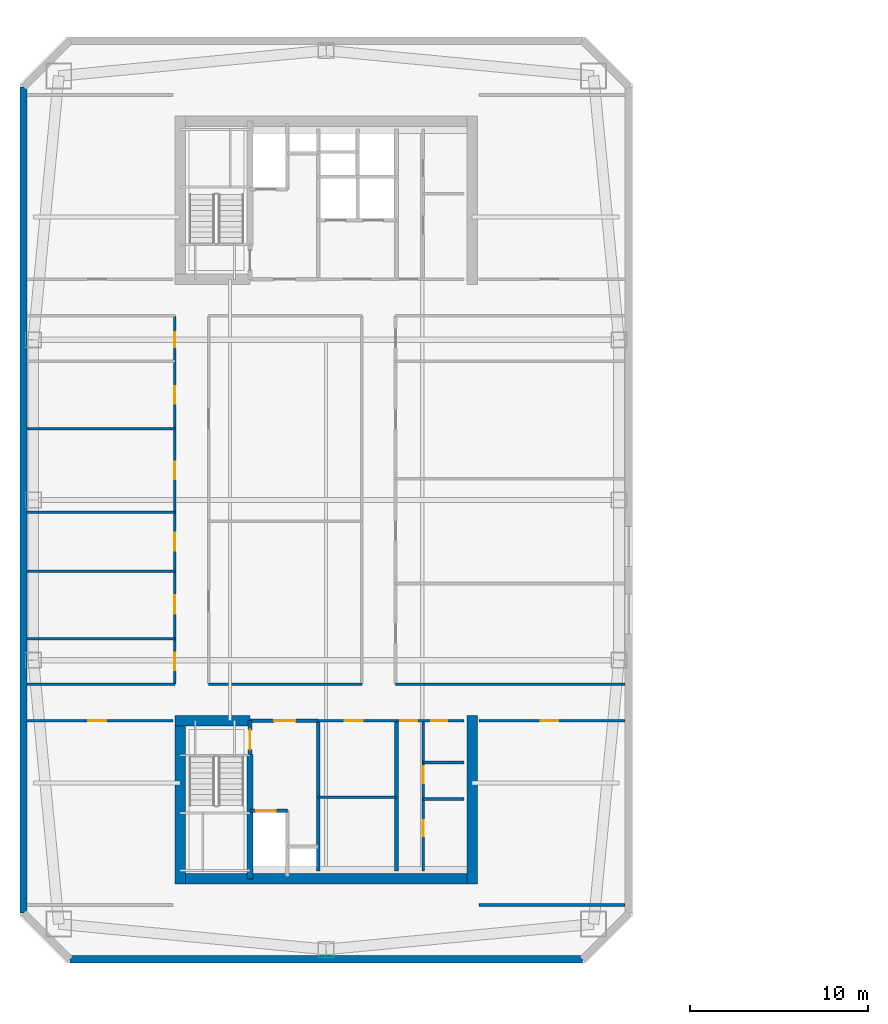
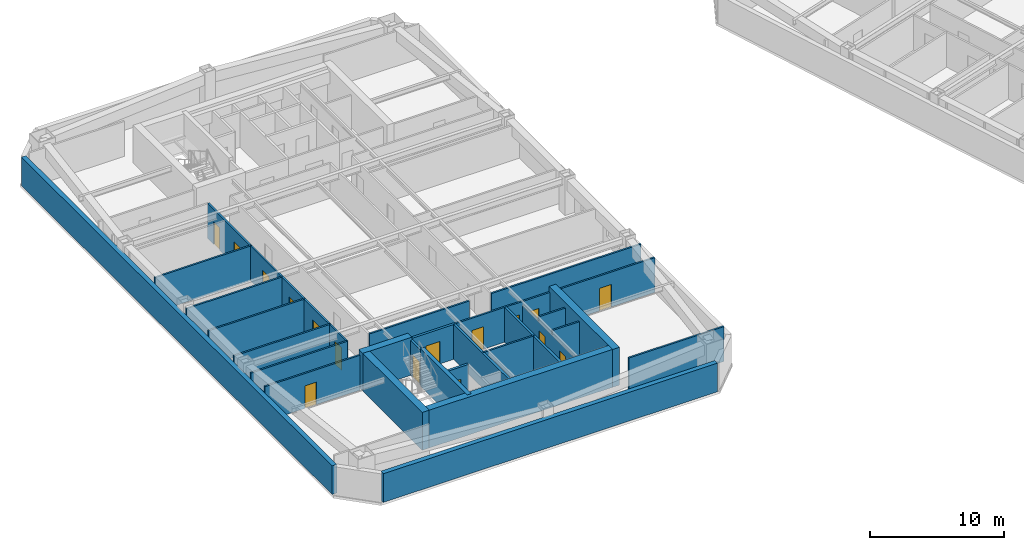
# One storey, part 5 of 13: 29 walls, 16 doors, 16 openings.
"""IFC4 building model written with IfcOpenShell, lengths in metres."""

from ifc_helpers import new_model, si_unit, direction, frame, frame_2d, origin, place, context, subcontext, project, spatial, rectangle, extrude, material, layer, layer_set, type_object, element, fill, save


model = new_model("IFC4")

# Units and contexts
model_context = context("Model", 3, precision=1e-05, world=origin(), true_north=direction((0.0, 1.0)))
body_context = subcontext(model_context, "Body", "Model", "MODEL_VIEW")
ifc_project = project(units=[si_unit("LENGTHUNIT", "METRE"), si_unit("AREAUNIT", "SQUARE_METRE"), si_unit("VOLUMEUNIT", "CUBIC_METRE"), si_unit("PLANEANGLEUNIT", "RADIAN"), si_unit("MASSUNIT", "GRAM", prefix="KILO")], contexts=[model_context])

# Site, building, storey
site_placement = place(None, origin())
site = spatial("IfcSite", under=ifc_project, at=site_placement, CompositionType="ELEMENT")
building_placement = place(site_placement, origin())
building = spatial("IfcBuilding", under=site, at=building_placement, Name="Qiaolan Cultural Towers", CompositionType="ELEMENT")
storey_placement = place(building_placement, frame((0.0, 0.0, 170.199951171875)))
storey = spatial("IfcBuildingStorey", under=building, at=storey_placement, Name="L45", CompositionType="ELEMENT", Elevation=170.199951171875)

# Walls
ifc_material_1 = material(Name="Concrete C50", Category="concrete")
ifc_layer_1 = layer(ifc_material_1, 0.35009765625)
ifc_layer_set_1 = layer_set([ifc_layer_1], Name="Concrete C50")
wall_type_1 = type_object("IfcWallType", Name="WL-CORE-350", PredefinedType="SHEAR", material=ifc_layer_set_1)
wall_1_placement = place(storey_placement, frame((25.719970703125, 19.699951171875, 0.0), z_axis=(0.0, 0.0, 1.0), x_axis=(0.0, -1.0, 0.0)))
element("IfcWall", 1, at=wall_1_placement, inside=storey, type_object=wall_type_1, Name="L45 T1-CS Stair Core Dividing Web", PredefinedType="SHEAR", context=body_context, shape_type="SweptSolid", body=[
    extrude(rectangle(XDim=6.97998046875, YDim=0.35009765625, at=frame_2d((3.489990234375, 0.0))), origin(), (0.0, 0.0, 1.0), 3.449951171875),
])
ifc_material_2 = material(Name="Concrete C55", Category="concrete")
ifc_layer_2 = layer(ifc_material_2, 0.60009765625)
ifc_layer_set_2 = layer_set([ifc_layer_2], Name="Concrete C55")
wall_type_2 = type_object("IfcWallType", Name="WL-CORE-600", PredefinedType="SHEAR", material=ifc_layer_set_2)
wall_2_placement = place(storey_placement, frame((21.5, 12.719970703125, 0.0), z_axis=(0.0, 0.0, 1.0), x_axis=(1.0, 0.0, 0.0)))
element("IfcWall", 2, at=wall_2_placement, inside=storey, type_object=wall_type_2, Name="L45 T1-CS Outer Core Shear Wall", PredefinedType="SHEAR", context=body_context, shape_type="SweptSolid", body=[
    extrude(rectangle(XDim=17.0, YDim=0.60009765625, at=frame_2d((8.5, 0.0))), origin(), (0.0, 0.0, 1.0), 3.449951171875),
])
for number, where, z_axis, x_axis, name in (
    (3, (21.800048828125, 21.89990234375, 0.0), (0.0, 0.0, 1.0), (0.0, -1.0, 0.0), "L45 T1-CS West Core Shear Wall"),
    (4, (38.199951171875, 21.89990234375, 0.0), (0.0, 0.0, 1.0), (0.0, -1.0, 0.0), "L45 T1-CS East Core Shear Wall"),
):
    element("IfcWall", number, at=place(storey_placement, frame(where, z_axis=z_axis, x_axis=x_axis)), inside=storey, type_object=wall_type_2, Name=name, PredefinedType="SHEAR", context=body_context, shape_type="SweptSolid", body=[
        extrude(rectangle(XDim=9.47998046875, YDim=0.60009765625, at=frame_2d((4.739990234375, 0.0))), origin(), (0.0, 0.0, 1.0), 3.449951171875),
    ])
wall_3_placement = place(storey_placement, frame((21.5, 21.60009765625, 0.0), z_axis=(0.0, 0.0, 1.0), x_axis=(1.0, 0.0, 0.0)))
element("IfcWall", 5, at=wall_3_placement, inside=storey, type_object=wall_type_2, Name="L45 T1-CS Stair Front Shear Wall", PredefinedType="SHEAR", context=body_context, shape_type="SweptSolid", body=[
    extrude(rectangle(XDim=4.219970703125, YDim=0.60009765625, at=frame_2d((2.10986328125, 0.0))), origin(), (0.0, 0.0, 1.0), 3.449951171875),
])
ifc_material_3 = material(Name="Precast Concrete C50 Honed Stone Pier", Category="masonry")
ifc_layer_3 = layer(ifc_material_3, 0.39990234375)
ifc_layer_set_3 = layer_set([ifc_layer_3], Name="Precast Concrete C50 Honed Stone Pier")
wall_type_3 = type_object("IfcWallType", Name="WL-EXT-PIER-400", PredefinedType="SOLIDWALL", material=ifc_layer_set_3)
wall_4_placement = place(storey_placement, frame((13.0, 10.800048828125, 0.0), z_axis=(0.0, 0.0, 1.0), x_axis=(0.0, 1.0, 0.0)))
element("IfcWall", 6, at=wall_4_placement, inside=storey, type_object=wall_type_3, Name="L45 West Tower Precast Pier Facade Wall F1", PredefinedType="SOLIDWALL", context=body_context, shape_type="SweptSolid", body=[
    extrude(rectangle(XDim=46.39990234375, YDim=0.39990234375, at=frame_2d((23.199951171875, 0.0))), origin(), (0.0, 0.0, 1.0), 2.610107421875),
])
wall_5_placement = place(storey_placement, frame((44.39990234375, 8.199951171875, 0.0), z_axis=(0.0, 0.0, 1.0), x_axis=(-1.0, 0.0, 0.0)))
element("IfcWall", 7, at=wall_5_placement, inside=storey, type_object=wall_type_3, Name="L45 West Tower Precast Pier Facade Wall F7", PredefinedType="SOLIDWALL", context=body_context, shape_type="SweptSolid", body=[
    extrude(rectangle(XDim=28.7998046875, YDim=0.39990234375, at=frame_2d((14.39990234375, 0.0))), origin(), (0.0, 0.0, 1.0), 2.610107421875),
])

# Wall, opening, door
ifc_material_4 = material(Name="Concrete C35 Fire Wall", Category="concrete")
ifc_layer_4 = layer(ifc_material_4, 0.199951171875)
ifc_layer_set_4 = layer_set([ifc_layer_4], Name="Concrete C35 Fire Wall")
wall_type_4 = type_object("IfcWallType", Name="WL-FIRE-200", PredefinedType="PARTITIONING", material=ifc_layer_set_4)
wall_6_placement = place(storey_placement, frame((25.719970703125, 21.60009765625, 0.0), z_axis=(0.0, 0.0, 1.0), x_axis=(0.0, -1.0, 0.0)))
wall_6 = element("IfcWall", 8, at=wall_6_placement, inside=storey, type_object=wall_type_4, Name="L45 T1-CS Smokeproof Stair Entry Wall", PredefinedType="PARTITIONING", context=body_context, shape_type="SweptSolid", body=[
    extrude(rectangle(XDim=1.900146484375, YDim=0.199951171875, at=frame_2d((0.9501953125, 0.0))), origin(), (0.0, 0.0, 1.0), 3.175048828125),
])
opening_1_placement = place(wall_6_placement, frame((0.52001953125, 0.0, 0.0)))
opening_1 = element("IfcOpeningElement", 9, at=opening_1_placement, cuts=wall_6, Name="Opening FD-04", PredefinedType="OPENING", context=body_context, shape_type="SweptSolid", body=[
    extrude(rectangle(XDim=1.10009765625, YDim=2.050048828125, at=frame_2d((0.550048828125, 1.02490234375))), frame((0.0, 0.10986328125, 0.0), z_axis=(0.0, -1.0, 0.0), x_axis=(1.0, 0.0, 0.0)), (0.0, 0.0, 1.0), 0.219970703125),
])
ifc_material_5 = material(Name="Galvanized Steel Command Fire Door", Category="steel")
door_type_1 = type_object("IfcDoorType", Name="DR-FD90-1100", OperationType="NOTDEFINED", PredefinedType="DOOR", material=ifc_material_5)
door_1_placement = place(opening_1_placement, origin())
door_1 = element("IfcDoor", 10, at=door_1_placement, inside=storey, type_object=door_type_1, Name="L45 ST-W1 Smokeproof Stair Fire Door", OperationType="SINGLE_SWING_LEFT", OverallHeight=2.050048828125, OverallWidth=1.10009765625, PredefinedType="DOOR", context=body_context, shape_type="SweptSolid", body=[
    extrude(rectangle(XDim=1.10009765625, YDim=2.050048828125, at=frame_2d((0.550048828125, 1.02490234375))), frame((0.0, 0.02490234375, 0.0), z_axis=(0.0, -1.0, 0.0), x_axis=(1.0, 0.0, 0.0)), (0.0, 0.0, 1.0), 0.050048828125),
])
fill(opening_1, door_1)

# Wall
wall_7_placement = place(storey_placement, frame((29.550048828125, 21.60009765625, 0.0), z_axis=(0.0, 0.0, 1.0), x_axis=(0.0, -1.0, 0.0)))
element("IfcWall", 11, at=wall_7_placement, inside=storey, type_object=wall_type_4, Name="L45 T1-CS Firefighting Zone Wall", PredefinedType="PARTITIONING", context=body_context, shape_type="SweptSolid", body=[
    extrude(rectangle(XDim=8.43017578125, YDim=0.199951171875, at=frame_2d((4.215087890625, 0.0))), origin(), (0.0, 0.0, 1.0), 3.175048828125),
])

# Wall, opening, door
wall_8_placement = place(storey_placement, frame((25.719970703125, 21.60009765625, 0.0), z_axis=(0.0, 0.0, 1.0), x_axis=(1.0, 0.0, 0.0)))
wall_8 = element("IfcWall", 12, at=wall_8_placement, inside=storey, type_object=wall_type_4, Name="L45 T1-CS Firefighting Lobby Front Wall", PredefinedType="PARTITIONING", context=body_context, shape_type="SweptSolid", body=[
    extrude(rectangle(XDim=3.830078125, YDim=0.199951171875, at=frame_2d((1.9150390625, 0.0))), origin(), (0.0, 0.0, 1.0), 3.175048828125),
])
opening_2_placement = place(wall_8_placement, frame((1.35009765625, 0.0, 0.0)))
opening_2 = element("IfcOpeningElement", 13, at=opening_2_placement, cuts=wall_8, Name="Opening FD-03", PredefinedType="OPENING", context=body_context, shape_type="SweptSolid", body=[
    extrude(rectangle(XDim=1.199951171875, YDim=2.050048828125, at=frame_2d((0.60009765625, 1.02490234375))), frame((0.0, 0.10986328125, 0.0), z_axis=(0.0, -1.0, 0.0), x_axis=(1.0, 0.0, 0.0)), (0.0, 0.0, 1.0), 0.219970703125),
])
ifc_material_6 = material(Name="Galvanized Steel Smokeproof Lobby Fire Door", Category="steel")
door_type_2 = type_object("IfcDoorType", Name="DR-FD90-1200", OperationType="NOTDEFINED", PredefinedType="DOOR", material=ifc_material_6)
door_2_placement = place(opening_2_placement, origin())
door_2 = element("IfcDoor", 14, at=door_2_placement, inside=storey, type_object=door_type_2, Name="L45 FFL-W1 Firefighting Lobby Fire Door", OperationType="SINGLE_SWING_LEFT", OverallHeight=2.050048828125, OverallWidth=1.199951171875, PredefinedType="DOOR", context=body_context, shape_type="SweptSolid", body=[
    extrude(rectangle(XDim=1.199951171875, YDim=2.050048828125, at=frame_2d((0.60009765625, 1.02490234375))), frame((0.0, 0.02490234375, 0.0), z_axis=(0.0, -1.0, 0.0), x_axis=(1.0, 0.0, 0.0)), (0.0, 0.0, 1.0), 0.050048828125),
])
fill(opening_2, door_2)

wall_9_placement = place(storey_placement, frame((25.719970703125, 16.550048828125, 0.0), z_axis=(0.0, 0.0, 1.0), x_axis=(1.0, 0.0, 0.0)))
wall_9 = element("IfcWall", 15, at=wall_9_placement, inside=storey, type_object=wall_type_4, Name="L45 T1-CS Firefighting Shaft Front Wall", PredefinedType="PARTITIONING", context=body_context, shape_type="SweptSolid", body=[
    extrude(rectangle(XDim=2.10009765625, YDim=0.199951171875, at=frame_2d((1.050048828125, 0.0))), origin(), (0.0, 0.0, 1.0), 3.175048828125),
])
opening_3_placement = place(wall_9_placement, frame((0.35009765625, 0.0, 0.0)))
opening_3 = element("IfcOpeningElement", 16, at=opening_3_placement, cuts=wall_9, Name="Opening LD-01", PredefinedType="OPENING", context=body_context, shape_type="SweptSolid", body=[
    extrude(rectangle(XDim=1.10009765625, YDim=2.050048828125, at=frame_2d((0.550048828125, 1.02490234375))), frame((0.0, 0.10986328125, 0.0), z_axis=(0.0, -1.0, 0.0), x_axis=(1.0, 0.0, 0.0)), (0.0, 0.0, 1.0), 0.219970703125),
])
ifc_material_7 = material(Name="Brushed Stainless Steel S30408 Centre-Parting Lift Landing Door", Category="steel")
door_type_3 = type_object("IfcDoorType", Name="DR-LIFT-1100", OperationType="NOTDEFINED", PredefinedType="DOOR", material=ifc_material_7)
door_3_placement = place(opening_3_placement, origin())
door_3 = element("IfcDoor", 17, at=door_3_placement, inside=storey, type_object=door_type_3, Name="L45 FFL-W1 Firefighting Lift Landing Door", OperationType="DOUBLE_DOOR_SLIDING", OverallHeight=2.050048828125, OverallWidth=1.10009765625, PredefinedType="DOOR", context=body_context, shape_type="SweptSolid", body=[
    extrude(rectangle(XDim=1.10009765625, YDim=2.050048828125, at=frame_2d((0.550048828125, 1.02490234375))), frame((0.0, 0.02490234375, 0.0), z_axis=(0.0, -1.0, 0.0), x_axis=(1.0, 0.0, 0.0)), (0.0, 0.0, 1.0), 0.050048828125),
])
fill(opening_3, door_3)

# Wall
wall_10_placement = place(storey_placement, frame((33.949951171875, 21.60009765625, 0.0), z_axis=(0.0, 0.0, 1.0), x_axis=(0.0, -1.0, 0.0)))
element("IfcWall", 18, at=wall_10_placement, inside=storey, type_object=wall_type_4, Name="L45 T1-CS Lift Core East Wall", PredefinedType="PARTITIONING", context=body_context, shape_type="SweptSolid", body=[
    extrude(rectangle(XDim=8.43017578125, YDim=0.199951171875, at=frame_2d((4.215087890625, 0.0))), origin(), (0.0, 0.0, 1.0), 3.175048828125),
])

# Wall, opening, door
ifc_material_8 = material(Name="Autoclaved Aerated Concrete Block B06", Category="concrete")
ifc_layer_5 = layer(ifc_material_8, 0.14990234375)
ifc_layer_set_5 = layer_set([ifc_layer_5], Name="Autoclaved Aerated Concrete Block B06")
wall_type_5 = type_object("IfcWallType", Name="WL-PART-150", PredefinedType="PARTITIONING", material=ifc_layer_set_5)
wall_11_placement = place(storey_placement, frame((29.550048828125, 21.60009765625, 0.0), z_axis=(0.0, 0.0, 1.0), x_axis=(1.0, 0.0, 0.0)))
wall_11 = element("IfcWall", 19, at=wall_11_placement, inside=storey, type_object=wall_type_5, Name="L45 T1-CS Reclaimed Core Room Front Wall", PredefinedType="PARTITIONING", context=body_context, shape_type="SweptSolid", body=[
    extrude(rectangle(XDim=4.39990234375, YDim=0.14990234375, at=frame_2d((2.199951171875, 0.0))), origin(), (0.0, 0.0, 1.0), 3.175048828125),
])
opening_4_placement = place(wall_11_placement, frame((1.5, 0.0, 0.0)))
opening_4 = element("IfcOpeningElement", 20, at=opening_4_placement, cuts=wall_11, Name="Opening ID-04", PredefinedType="OPENING", context=body_context, shape_type="SweptSolid", body=[
    extrude(rectangle(XDim=1.0, YDim=2.050048828125, at=frame_2d((0.5, 1.02490234375))), frame((0.0, 0.0849609375, 0.0), z_axis=(0.0, -1.0, 0.0), x_axis=(1.0, 0.0, 0.0)), (0.0, 0.0, 1.0), 0.169921875),
])
ifc_material_9 = material(Name="Oak Veneer Acoustic Office Door", Category="timber")
door_type_4 = type_object("IfcDoorType", Name="DR-INT-1000", OperationType="NOTDEFINED", PredefinedType="DOOR", material=ifc_material_9)
door_4_placement = place(opening_4_placement, origin())
door_4 = element("IfcDoor", 21, at=door_4_placement, inside=storey, type_object=door_type_4, Name="L45 Focus Pod Room Door", OperationType="SINGLE_SWING_LEFT", OverallHeight=2.050048828125, OverallWidth=1.0, PredefinedType="DOOR", context=body_context, shape_type="SweptSolid", body=[
    extrude(rectangle(XDim=1.0, YDim=2.050048828125, at=frame_2d((0.5, 1.02490234375))), frame((0.0, 0.02490234375, 0.0), z_axis=(0.0, -1.0, 0.0), x_axis=(1.0, 0.0, 0.0)), (0.0, 0.0, 1.0), 0.050048828125),
])
fill(opening_4, door_4)

# Wall
wall_12_placement = place(storey_placement, frame((29.550048828125, 17.300048828125, 0.0), z_axis=(0.0, 0.0, 1.0), x_axis=(1.0, 0.0, 0.0)))
element("IfcWall", 22, at=wall_12_placement, inside=storey, type_object=wall_type_5, Name="L45 T1-CS Reclaimed Room Subdivider", PredefinedType="PARTITIONING", context=body_context, shape_type="SweptSolid", body=[
    extrude(rectangle(XDim=4.39990234375, YDim=0.14990234375, at=frame_2d((2.199951171875, 0.0))), origin(), (0.0, 0.0, 1.0), 3.175048828125),
])

# Wall, openings, doors
wall_13_placement = place(storey_placement, frame((33.949951171875, 21.60009765625, 0.0), z_axis=(0.0, 0.0, 1.0), x_axis=(1.0, 0.0, 0.0)))
wall_13 = element("IfcWall", 23, at=wall_13_placement, inside=storey, type_object=wall_type_5, Name="L45 T1-CS Sanitary Core Front Wall", PredefinedType="PARTITIONING", context=body_context, shape_type="SweptSolid", body=[
    extrude(rectangle(XDim=3.800048828125, YDim=0.14990234375, at=frame_2d((1.89990234375, 0.0))), origin(), (0.0, 0.0, 1.0), 3.175048828125),
])
opening_5_placement = place(wall_13_placement, frame((0.219970703125, 0.0, 0.0)))
opening_5 = element("IfcOpeningElement", 24, at=opening_5_placement, cuts=wall_13, Name="Opening ID-05", PredefinedType="OPENING", context=body_context, shape_type="SweptSolid", body=[
    extrude(rectangle(XDim=0.949951171875, YDim=2.050048828125, at=frame_2d((0.47509765625, 1.02490234375))), frame((0.0, 0.0849609375, 0.0), z_axis=(0.0, -1.0, 0.0), x_axis=(1.0, 0.0, 0.0)), (0.0, 0.0, 1.0), 0.169921875),
])
opening_6_placement = place(wall_13_placement, frame((1.949951171875, 0.0, 0.0)))
opening_6 = element("IfcOpeningElement", 25, at=opening_6_placement, cuts=wall_13, Name="Opening ID-06", PredefinedType="OPENING", context=body_context, shape_type="SweptSolid", body=[
    extrude(rectangle(XDim=0.89990234375, YDim=2.050048828125, at=frame_2d((0.449951171875, 1.02490234375))), frame((0.0, 0.0849609375, 0.0), z_axis=(0.0, -1.0, 0.0), x_axis=(1.0, 0.0, 0.0)), (0.0, 0.0, 1.0), 0.169921875),
])
ifc_material_10 = material(Name="Fire-Rated Laminate Core Service Door", Category="timber")
door_type_5 = type_object("IfcDoorType", Name="DR-INT-900", OperationType="NOTDEFINED", PredefinedType="DOOR", material=ifc_material_10)
door_5_placement = place(opening_6_placement, origin())
door_5 = element("IfcDoor", 26, at=door_5_placement, inside=storey, type_object=door_type_5, Name="L45 Core Tea Pantry Door", OperationType="SINGLE_SWING_RIGHT", OverallHeight=2.050048828125, OverallWidth=0.89990234375, PredefinedType="DOOR", context=body_context, shape_type="SweptSolid", body=[
    extrude(rectangle(XDim=0.89990234375, YDim=2.050048828125, at=frame_2d((0.449951171875, 1.02490234375))), frame((0.0, 0.02490234375, 0.0), z_axis=(0.0, -1.0, 0.0), x_axis=(1.0, 0.0, 0.0)), (0.0, 0.0, 1.0), 0.050048828125),
])
fill(opening_6, door_5)
ifc_material_11 = material(Name="Fire-Rated Laminate Accessible Core Door", Category="timber")
door_type_6 = type_object("IfcDoorType", Name="DR-INT-950", OperationType="NOTDEFINED", PredefinedType="DOOR", material=ifc_material_11)
door_6_placement = place(opening_5_placement, origin())
door_6 = element("IfcDoor", 27, at=door_6_placement, inside=storey, type_object=door_type_6, Name="L45 Sanitary Passage Door", OperationType="SINGLE_SWING_LEFT", OverallHeight=2.050048828125, OverallWidth=0.949951171875, PredefinedType="DOOR", context=body_context, shape_type="SweptSolid", body=[
    extrude(rectangle(XDim=0.949951171875, YDim=2.050048828125, at=frame_2d((0.47509765625, 1.02490234375))), frame((0.0, 0.02490234375, 0.0), z_axis=(0.0, -1.0, 0.0), x_axis=(1.0, 0.0, 0.0)), (0.0, 0.0, 1.0), 0.050048828125),
])
fill(opening_5, door_6)

wall_14_placement = place(storey_placement, frame((35.449951171875, 21.60009765625, 0.0), z_axis=(0.0, 0.0, 1.0), x_axis=(0.0, -1.0, 0.0)))
wall_14 = element("IfcWall", 28, at=wall_14_placement, inside=storey, type_object=wall_type_5, Name="L45 T1-CS Sanitary Corridor Wall", PredefinedType="PARTITIONING", context=body_context, shape_type="SweptSolid", body=[
    extrude(rectangle(XDim=8.43017578125, YDim=0.14990234375, at=frame_2d((4.215087890625, 0.0))), origin(), (0.0, 0.0, 1.0), 2.81494140625),
])
opening_7_placement = place(wall_14_placement, frame((2.550048828125, 0.0, 0.0)))
opening_7 = element("IfcOpeningElement", 29, at=opening_7_placement, cuts=wall_14, Name="Opening ID-05", PredefinedType="OPENING", context=body_context, shape_type="SweptSolid", body=[
    extrude(rectangle(XDim=0.949951171875, YDim=2.050048828125, at=frame_2d((0.47509765625, 1.02490234375))), frame((0.0, 0.0849609375, 0.0), z_axis=(0.0, -1.0, 0.0), x_axis=(1.0, 0.0, 0.0)), (0.0, 0.0, 1.0), 0.169921875),
])
opening_8_placement = place(wall_14_placement, frame((5.60009765625, 0.0, 0.0)))
opening_8 = element("IfcOpeningElement", 30, at=opening_8_placement, cuts=wall_14, Name="Opening ID-06", PredefinedType="OPENING", context=body_context, shape_type="SweptSolid", body=[
    extrude(rectangle(XDim=0.89990234375, YDim=2.050048828125, at=frame_2d((0.449951171875, 1.02490234375))), frame((0.0, 0.0849609375, 0.0), z_axis=(0.0, -1.0, 0.0), x_axis=(1.0, 0.0, 0.0)), (0.0, 0.0, 1.0), 0.169921875),
])
door_7_placement = place(opening_8_placement, origin())
door_7 = element("IfcDoor", 31, at=door_7_placement, inside=storey, type_object=door_type_5, Name="L45 Staff Restroom Door", OperationType="SINGLE_SWING_RIGHT", OverallHeight=2.050048828125, OverallWidth=0.89990234375, PredefinedType="DOOR", context=body_context, shape_type="SweptSolid", body=[
    extrude(rectangle(XDim=0.89990234375, YDim=2.050048828125, at=frame_2d((0.449951171875, 1.02490234375))), frame((0.0, 0.02490234375, 0.0), z_axis=(0.0, -1.0, 0.0), x_axis=(1.0, 0.0, 0.0)), (0.0, 0.0, 1.0), 0.050048828125),
])
fill(opening_8, door_7)
door_8_placement = place(opening_7_placement, origin())
door_8 = element("IfcDoor", 32, at=door_8_placement, inside=storey, type_object=door_type_6, Name="L45 Accessible Washroom Door", OperationType="SINGLE_SWING_LEFT", OverallHeight=2.050048828125, OverallWidth=0.949951171875, PredefinedType="DOOR", context=body_context, shape_type="SweptSolid", body=[
    extrude(rectangle(XDim=0.949951171875, YDim=2.050048828125, at=frame_2d((0.47509765625, 1.02490234375))), frame((0.0, 0.02490234375, 0.0), z_axis=(0.0, -1.0, 0.0), x_axis=(1.0, 0.0, 0.0)), (0.0, 0.0, 1.0), 0.050048828125),
])
fill(opening_7, door_8)

# Walls
for number, where, z_axis, x_axis, name in (
    (33, (35.449951171875, 17.199951171875, 0.0), (0.0, 0.0, 1.0), (1.0, 0.0, 0.0), "L45 T1-CS Restroom Split Wall"),
    (34, (35.449951171875, 19.25, 0.0), (0.0, 0.0, 1.0), (1.0, 0.0, 0.0), "L45 T1-CS Core Pantry Wall"),
):
    element("IfcWall", number, at=place(storey_placement, frame(where, z_axis=z_axis, x_axis=x_axis)), inside=storey, type_object=wall_type_5, Name=name, PredefinedType="PARTITIONING", context=body_context, shape_type="SweptSolid", body=[
        extrude(rectangle(XDim=2.300048828125, YDim=0.14990234375, at=frame_2d((1.14990234375, 0.0))), origin(), (0.0, 0.0, 1.0), 3.175048828125),
    ])

# Wall, opening, door
wall_15_placement = place(storey_placement, frame((13.199951171875, 21.60009765625, 0.0), z_axis=(0.0, 0.0, 1.0), x_axis=(1.0, 0.0, 0.0)))
wall_15 = element("IfcWall", 35, at=wall_15_placement, inside=storey, type_object=wall_type_5, Name="L45 T1 Flank Front FLK-SW", PredefinedType="PARTITIONING", context=body_context, shape_type="SweptSolid", body=[
    extrude(rectangle(XDim=8.199951171875, YDim=0.14990234375, at=frame_2d((4.10009765625, 0.0))), origin(), (0.0, 0.0, 1.0), 3.175048828125),
])
opening_9_placement = place(wall_15_placement, frame((3.444091796875, 0.0, 0.0)))
opening_9 = element("IfcOpeningElement", 36, at=opening_9_placement, cuts=wall_15, Name="Opening ID-04", PredefinedType="OPENING", context=body_context, shape_type="SweptSolid", body=[
    extrude(rectangle(XDim=1.0, YDim=2.050048828125, at=frame_2d((0.5, 1.02490234375))), frame((0.0, 0.0849609375, 0.0), z_axis=(0.0, -1.0, 0.0), x_axis=(1.0, 0.0, 0.0)), (0.0, 0.0, 1.0), 0.169921875),
])
door_9_placement = place(opening_9_placement, origin())
door_9 = element("IfcDoor", 37, at=door_9_placement, inside=storey, type_object=door_type_4, Name="L45 T1 Corner Studio Door", OperationType="SINGLE_SWING_LEFT", OverallHeight=2.050048828125, OverallWidth=1.0, PredefinedType="DOOR", context=body_context, shape_type="SweptSolid", body=[
    extrude(rectangle(XDim=1.0, YDim=2.050048828125, at=frame_2d((0.5, 1.02490234375))), frame((0.0, 0.02490234375, 0.0), z_axis=(0.0, -1.0, 0.0), x_axis=(1.0, 0.0, 0.0)), (0.0, 0.0, 1.0), 0.050048828125),
])
fill(opening_9, door_9)

# Wall
wall_16_placement = place(storey_placement, frame((38.60009765625, 11.25, 0.0), z_axis=(0.0, 0.0, 1.0), x_axis=(1.0, 0.0, 0.0)))
element("IfcWall", 38, at=wall_16_placement, inside=storey, type_object=wall_type_5, Name="L45 T1 Flank Wall FLK-SE", PredefinedType="PARTITIONING", context=body_context, shape_type="SweptSolid", body=[
    extrude(rectangle(XDim=8.199951171875, YDim=0.14990234375, at=frame_2d((4.10009765625, 0.0))), origin(), (0.0, 0.0, 1.0), 3.175048828125),
])

# Wall, opening, door
wall_17_placement = place(storey_placement, frame((38.60009765625, 21.60009765625, 0.0), z_axis=(0.0, 0.0, 1.0), x_axis=(1.0, 0.0, 0.0)))
wall_17 = element("IfcWall", 39, at=wall_17_placement, inside=storey, type_object=wall_type_5, Name="L45 T1 Flank Front FLK-SE", PredefinedType="PARTITIONING", context=body_context, shape_type="SweptSolid", body=[
    extrude(rectangle(XDim=8.199951171875, YDim=0.14990234375, at=frame_2d((4.10009765625, 0.0))), origin(), (0.0, 0.0, 1.0), 3.175048828125),
])
opening_10_placement = place(wall_17_placement, frame((3.444091796875, 0.0, 0.0)))
opening_10 = element("IfcOpeningElement", 40, at=opening_10_placement, cuts=wall_17, Name="Opening ID-04", PredefinedType="OPENING", context=body_context, shape_type="SweptSolid", body=[
    extrude(rectangle(XDim=1.0, YDim=2.050048828125, at=frame_2d((0.5, 1.02490234375))), frame((0.0, 0.0849609375, 0.0), z_axis=(0.0, -1.0, 0.0), x_axis=(1.0, 0.0, 0.0)), (0.0, 0.0, 1.0), 0.169921875),
])
door_10_placement = place(opening_10_placement, origin())
door_10 = element("IfcDoor", 41, at=door_10_placement, inside=storey, type_object=door_type_4, Name="L45 T1 Corner Studio Door", OperationType="SINGLE_SWING_LEFT", OverallHeight=2.050048828125, OverallWidth=1.0, PredefinedType="DOOR", context=body_context, shape_type="SweptSolid", body=[
    extrude(rectangle(XDim=1.0, YDim=2.050048828125, at=frame_2d((0.5, 1.02490234375))), frame((0.0, 0.02490234375, 0.0), z_axis=(0.0, -1.0, 0.0), x_axis=(1.0, 0.0, 0.0)), (0.0, 0.0, 1.0), 0.050048828125),
])
fill(opening_10, door_10)

# Walls
wall_18_placement = place(storey_placement, frame((13.199951171875, 23.64990234375, 0.0), z_axis=(0.0, 0.0, 1.0), x_axis=(1.0, 0.0, 0.0)))
element("IfcWall", 42, at=wall_18_placement, inside=storey, type_object=wall_type_5, Name="L45 T1 Interior Wall", PredefinedType="PARTITIONING", context=body_context, shape_type="SweptSolid", body=[
    extrude(rectangle(XDim=8.300048828125, YDim=0.14990234375, at=frame_2d((4.14990234375, 0.0))), origin(), (0.0, 0.0, 1.0), 3.175048828125),
])
wall_19_placement = place(storey_placement, frame((23.39990234375, 23.64990234375, 0.0), z_axis=(0.0, 0.0, 1.0), x_axis=(1.0, 0.0, 0.0)))
element("IfcWall", 43, at=wall_19_placement, inside=storey, type_object=wall_type_5, Name="L45 T1 Interior Wall", PredefinedType="PARTITIONING", context=body_context, shape_type="SweptSolid", body=[
    extrude(rectangle(XDim=8.60009765625, YDim=0.14990234375, at=frame_2d((4.300048828125, 0.0))), origin(), (0.0, 0.0, 1.0), 3.175048828125),
])
wall_20_placement = place(storey_placement, frame((33.89990234375, 23.64990234375, 0.0), z_axis=(0.0, 0.0, 1.0), x_axis=(1.0, 0.0, 0.0)))
element("IfcWall", 44, at=wall_20_placement, inside=storey, type_object=wall_type_5, Name="L45 T1 Interior Wall", PredefinedType="PARTITIONING", context=body_context, shape_type="SweptSolid", body=[
    extrude(rectangle(XDim=12.900146484375, YDim=0.14990234375, at=frame_2d((6.4501953125, 0.0))), origin(), (0.0, 0.0, 1.0), 3.175048828125),
])

# Wall, openings, doors
wall_21_placement = place(storey_placement, frame((21.5, 23.64990234375, 0.0), z_axis=(0.0, 0.0, 1.0), x_axis=(0.0, 1.0, 0.0)))
wall_21 = element("IfcWall", 45, at=wall_21_placement, inside=storey, type_object=wall_type_5, Name="L45 T1 Interior Wall", PredefinedType="PARTITIONING", context=body_context, shape_type="SweptSolid", body=[
    extrude(rectangle(XDim=20.7001953125, YDim=0.14990234375, at=frame_2d((10.35009765625, 0.0))), origin(), (0.0, 0.0, 1.0), 3.175048828125),
])
opening_11_placement = place(wall_21_placement, frame((0.77490234375, 0.0, 0.0)))
opening_11 = element("IfcOpeningElement", 46, at=opening_11_placement, cuts=wall_21, Name="Opening ID-04", PredefinedType="OPENING", context=body_context, shape_type="SweptSolid", body=[
    extrude(rectangle(XDim=1.0, YDim=2.050048828125, at=frame_2d((0.5, 1.02490234375))), frame((0.0, 0.0849609375, 0.0), z_axis=(0.0, -1.0, 0.0), x_axis=(1.0, 0.0, 0.0)), (0.0, 0.0, 1.0), 0.169921875),
])
opening_12_placement = place(wall_21_placement, frame((3.949951171875, 0.0, 0.0)))
opening_12 = element("IfcOpeningElement", 47, at=opening_12_placement, cuts=wall_21, Name="Opening ID-07", PredefinedType="OPENING", context=body_context, shape_type="SweptSolid", body=[
    extrude(rectangle(XDim=1.050048828125, YDim=2.050048828125, at=frame_2d((0.52490234375, 1.02490234375))), frame((0.0, 0.0849609375, 0.0), z_axis=(0.0, -1.0, 0.0), x_axis=(1.0, 0.0, 0.0)), (0.0, 0.0, 1.0), 0.169921875),
])
opening_13_placement = place(wall_21_placement, frame((7.510009765625, 0.0, 0.0)))
opening_13 = element("IfcOpeningElement", 48, at=opening_13_placement, cuts=wall_21, Name="Opening ID-04", PredefinedType="OPENING", context=body_context, shape_type="SweptSolid", body=[
    extrude(rectangle(XDim=1.0, YDim=2.050048828125, at=frame_2d((0.5, 1.02490234375))), frame((0.0, 0.0849609375, 0.0), z_axis=(0.0, -1.0, 0.0), x_axis=(1.0, 0.0, 0.0)), (0.0, 0.0, 1.0), 0.169921875),
])
opening_14_placement = place(wall_21_placement, frame((11.510009765625, 0.0, 0.0)))
opening_14 = element("IfcOpeningElement", 49, at=opening_14_placement, cuts=wall_21, Name="Opening ID-04", PredefinedType="OPENING", context=body_context, shape_type="SweptSolid", body=[
    extrude(rectangle(XDim=1.0, YDim=2.050048828125, at=frame_2d((0.5, 1.02490234375))), frame((0.0, 0.0849609375, 0.0), z_axis=(0.0, -1.0, 0.0), x_axis=(1.0, 0.0, 0.0)), (0.0, 0.0, 1.0), 0.169921875),
])
opening_15_placement = place(wall_21_placement, frame((15.75, 0.0, 0.0)))
opening_15 = element("IfcOpeningElement", 50, at=opening_15_placement, cuts=wall_21, Name="Opening ID-04", PredefinedType="OPENING", context=body_context, shape_type="SweptSolid", body=[
    extrude(rectangle(XDim=1.0, YDim=2.050048828125, at=frame_2d((0.5, 1.02490234375))), frame((0.0, 0.0849609375, 0.0), z_axis=(0.0, -1.0, 0.0), x_axis=(1.0, 0.0, 0.0)), (0.0, 0.0, 1.0), 0.169921875),
])
opening_16_placement = place(wall_21_placement, frame((18.925048828125, 0.0, 0.0)))
opening_16 = element("IfcOpeningElement", 51, at=opening_16_placement, cuts=wall_21, Name="Opening ID-09", PredefinedType="OPENING", context=body_context, shape_type="SweptSolid", body=[
    extrude(rectangle(XDim=0.85009765625, YDim=2.050048828125, at=frame_2d((0.425048828125, 1.02490234375))), frame((0.0, 0.0849609375, 0.0), z_axis=(0.0, -1.0, 0.0), x_axis=(1.0, 0.0, 0.0)), (0.0, 0.0, 1.0), 0.169921875),
])
door_11_placement = place(opening_11_placement, origin())
door_11 = element("IfcDoor", 52, at=door_11_placement, inside=storey, type_object=door_type_4, Name="L45 T1 Executive Boardroom Door", OperationType="SINGLE_SWING_LEFT", OverallHeight=2.050048828125, OverallWidth=1.0, PredefinedType="DOOR", context=body_context, shape_type="SweptSolid", body=[
    extrude(rectangle(XDim=1.0, YDim=2.050048828125, at=frame_2d((0.5, 1.02490234375))), frame((0.0, 0.02490234375, 0.0), z_axis=(0.0, -1.0, 0.0), x_axis=(1.0, 0.0, 0.0)), (0.0, 0.0, 1.0), 0.050048828125),
])
fill(opening_11, door_11)
door_12_placement = place(opening_13_placement, origin())
door_12 = element("IfcDoor", 53, at=door_12_placement, inside=storey, type_object=door_type_4, Name="L45 T1 Executive Boardroom Door", OperationType="SINGLE_SWING_LEFT", OverallHeight=2.050048828125, OverallWidth=1.0, PredefinedType="DOOR", context=body_context, shape_type="SweptSolid", body=[
    extrude(rectangle(XDim=1.0, YDim=2.050048828125, at=frame_2d((0.5, 1.02490234375))), frame((0.0, 0.02490234375, 0.0), z_axis=(0.0, -1.0, 0.0), x_axis=(1.0, 0.0, 0.0)), (0.0, 0.0, 1.0), 0.050048828125),
])
fill(opening_13, door_12)
door_13_placement = place(opening_14_placement, origin())
door_13 = element("IfcDoor", 54, at=door_13_placement, inside=storey, type_object=door_type_4, Name="L45 T1 Executive Boardroom Door", OperationType="SINGLE_SWING_RIGHT", OverallHeight=2.050048828125, OverallWidth=1.0, PredefinedType="DOOR", context=body_context, shape_type="SweptSolid", body=[
    extrude(rectangle(XDim=1.0, YDim=2.050048828125, at=frame_2d((0.5, 1.02490234375))), frame((0.0, 0.02490234375, 0.0), z_axis=(0.0, -1.0, 0.0), x_axis=(1.0, 0.0, 0.0)), (0.0, 0.0, 1.0), 0.050048828125),
])
fill(opening_14, door_13)
door_14_placement = place(opening_15_placement, origin())
door_14 = element("IfcDoor", 55, at=door_14_placement, inside=storey, type_object=door_type_4, Name="L45 T1 Executive Boardroom Door", OperationType="SINGLE_SWING_LEFT", OverallHeight=2.050048828125, OverallWidth=1.0, PredefinedType="DOOR", context=body_context, shape_type="SweptSolid", body=[
    extrude(rectangle(XDim=1.0, YDim=2.050048828125, at=frame_2d((0.5, 1.02490234375))), frame((0.0, 0.02490234375, 0.0), z_axis=(0.0, -1.0, 0.0), x_axis=(1.0, 0.0, 0.0)), (0.0, 0.0, 1.0), 0.050048828125),
])
fill(opening_15, door_14)
ifc_material_12 = material(Name="Oak Veneer Consultation Door", Category="timber")
door_type_7 = type_object("IfcDoorType", Name="DR-INT-1050", OperationType="NOTDEFINED", PredefinedType="DOOR", material=ifc_material_12)
door_15_placement = place(opening_12_placement, origin())
door_15 = element("IfcDoor", 56, at=door_15_placement, inside=storey, type_object=door_type_7, Name="L45 T1 Executive Boardroom Door", OperationType="SINGLE_SWING_RIGHT", OverallHeight=2.050048828125, OverallWidth=1.050048828125, PredefinedType="DOOR", context=body_context, shape_type="SweptSolid", body=[
    extrude(rectangle(XDim=1.050048828125, YDim=2.050048828125, at=frame_2d((0.52490234375, 1.02490234375))), frame((0.0, 0.02490234375, 0.0), z_axis=(0.0, -1.0, 0.0), x_axis=(1.0, 0.0, 0.0)), (0.0, 0.0, 1.0), 0.050048828125),
])
fill(opening_12, door_15)
ifc_material_13 = material(Name="Moisture-Resistant Laminate Utility Door", Category="timber")
door_type_8 = type_object("IfcDoorType", Name="DR-INT-850", OperationType="NOTDEFINED", PredefinedType="DOOR", material=ifc_material_13)
door_16_placement = place(opening_16_placement, origin())
door_16 = element("IfcDoor", 57, at=door_16_placement, inside=storey, type_object=door_type_8, Name="L45 T1 VIP Lounge Door", OperationType="SINGLE_SWING_RIGHT", OverallHeight=2.050048828125, OverallWidth=0.85009765625, PredefinedType="DOOR", context=body_context, shape_type="SweptSolid", body=[
    extrude(rectangle(XDim=0.85009765625, YDim=2.050048828125, at=frame_2d((0.425048828125, 1.02490234375))), frame((0.0, 0.02490234375, 0.0), z_axis=(0.0, -1.0, 0.0), x_axis=(1.0, 0.0, 0.0)), (0.0, 0.0, 1.0), 0.050048828125),
])
fill(opening_16, door_16)

# Walls
for number, where, z_axis, x_axis, name in (
    (58, (13.199951171875, 26.199951171875, 0.0), (0.0, 0.0, 1.0), (1.0, 0.0, 0.0), "L45 T1 Interior Wall"),
    (59, (13.199951171875, 30.0, 0.0), (0.0, 0.0, 1.0), (1.0, 0.0, 0.0), "L45 T1 Interior Wall"),
    (60, (13.199951171875, 33.320068359375, 0.0), (0.0, 0.0, 1.0), (1.0, 0.0, 0.0), "L45 T1 Interior Wall"),
    (61, (13.199951171875, 38.0, 0.0), (0.0, 0.0, 1.0), (1.0, 0.0, 0.0), "L45 T1 Interior Wall"),
):
    element("IfcWall", number, at=place(storey_placement, frame(where, z_axis=z_axis, x_axis=x_axis)), inside=storey, type_object=wall_type_5, Name=name, PredefinedType="PARTITIONING", context=body_context, shape_type="SweptSolid", body=[
        extrude(rectangle(XDim=8.300048828125, YDim=0.14990234375, at=frame_2d((4.14990234375, 0.0))), origin(), (0.0, 0.0, 1.0), 3.175048828125),
    ])

save(model, "model.ifc")
